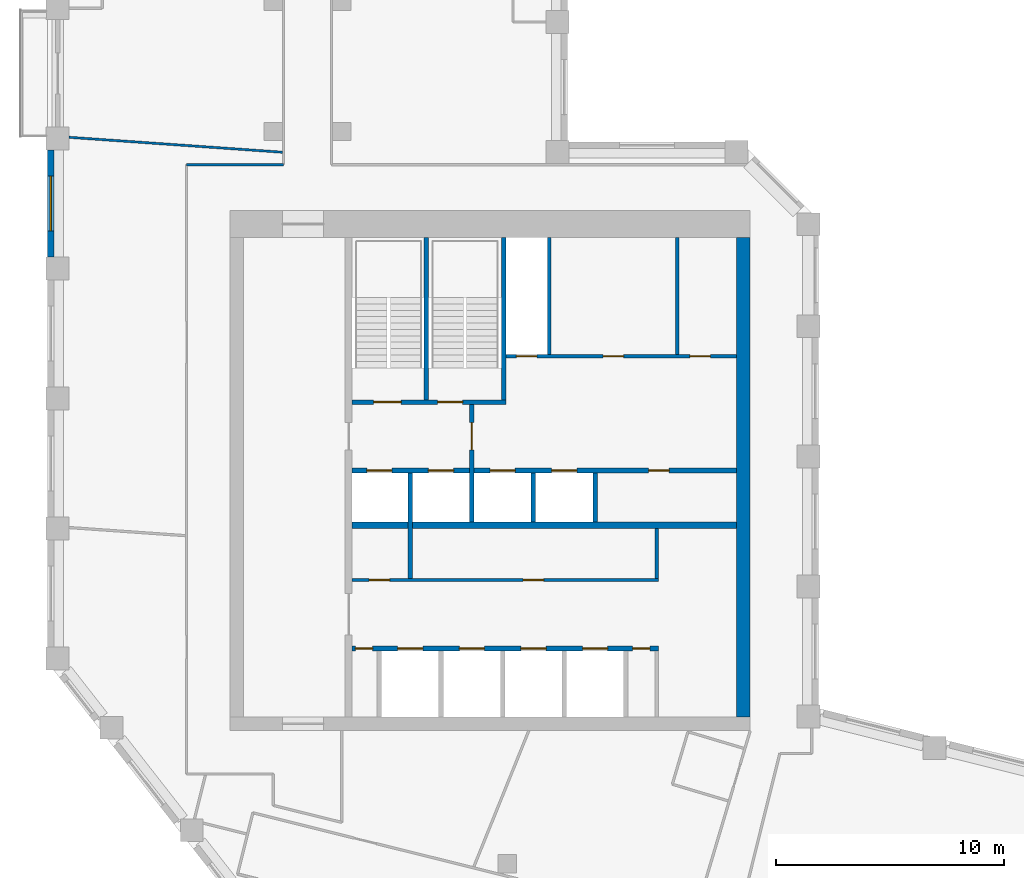
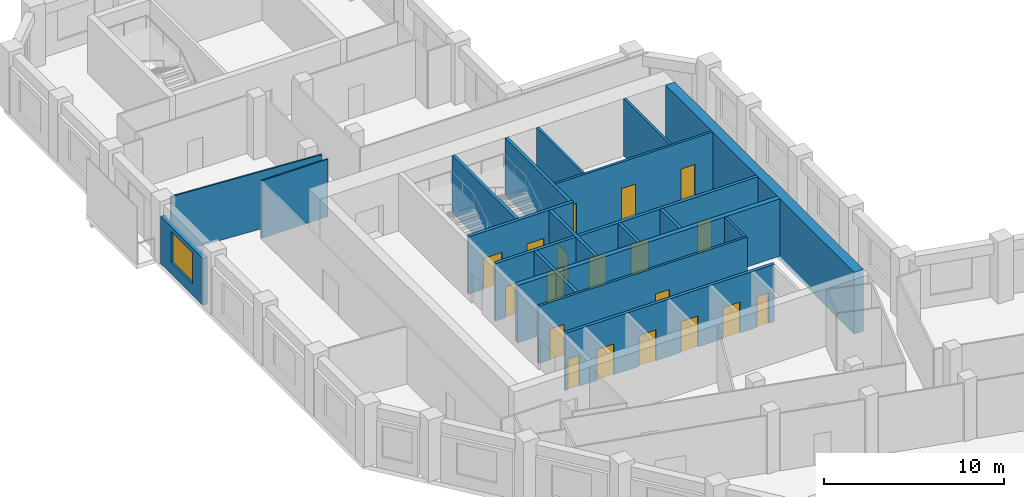
# One storey, part 5 of 9: 19 doors, 19 walls, 1 window, 20 openings.
"""IFC4 building model written with IfcOpenShell, lengths in metres."""

from ifc_helpers import new_model, si_unit, direction, frame, frame_2d, origin, place, context, subcontext, project, spatial, rectangle, extrude, material, layer, layer_set, type_object, element, fill, save


model = new_model("IFC4")

# Units and contexts
model_context = context("Model", 3, precision=1e-05, world=origin(), true_north=direction((0.0, 1.0)))
body_context = subcontext(model_context, "Body", "Model", "MODEL_VIEW")
ifc_project = project(units=[si_unit("LENGTHUNIT", "METRE"), si_unit("AREAUNIT", "SQUARE_METRE"), si_unit("VOLUMEUNIT", "CUBIC_METRE"), si_unit("PLANEANGLEUNIT", "RADIAN"), si_unit("MASSUNIT", "GRAM", prefix="KILO")], contexts=[model_context])

# Site, building, storey
site_placement = place(None, origin())
site = spatial("IfcSite", under=ifc_project, at=site_placement, CompositionType="ELEMENT")
building_placement = place(site_placement, origin())
building = spatial("IfcBuilding", under=site, at=building_placement, Name="Meshkara Civic Tower", CompositionType="ELEMENT")
storey_placement = place(building_placement, frame((0.0, 0.0, 302.39990234375)))
storey = spatial("IfcBuildingStorey", under=building, at=storey_placement, Name="L69", CompositionType="ELEMENT", Elevation=302.39990234375)

# Wall, openings, doors
ifc_material_1 = material(Name="Blockwork", Category="masonry")
ifc_layer_1 = layer(ifc_material_1, 0.14990234375)
ifc_layer_set_1 = layer_set([ifc_layer_1], Name="Core partition 150")
wall_type_1 = type_object("IfcWallType", Name="Core partition 150", PredefinedType="PARTITIONING", material=ifc_layer_set_1)
wall_1_placement = place(storey_placement, frame((13.35009765625, 20.699951171875, 0.0), z_axis=(0.0, 0.0, 1.0), x_axis=(1.0, 0.0, 0.0)))
wall_1 = element("IfcWall", 1, at=wall_1_placement, inside=storey, type_object=wall_type_1, Name="L69-C006", PredefinedType="PARTITIONING", context=body_context, shape_type="SweptSolid", body=[
    extrude(rectangle(XDim=13.4248046875, YDim=0.14990234375, at=frame_2d((6.71240234375, 0.0))), origin(), (0.0, 0.0, 1.0), 3.900146484375),
])
opening_1_placement = place(wall_1_placement, frame((0.75, 0.0, 0.0)))
opening_1 = element("IfcOpeningElement", 2, at=opening_1_placement, cuts=wall_1, Name="Opening L69-K011", PredefinedType="OPENING", context=body_context, shape_type="SweptSolid", body=[
    extrude(rectangle(XDim=0.89990234375, YDim=2.10009765625, at=frame_2d((0.449951171875, 1.050048828125))), frame((0.0, 0.0849609375, 0.0), z_axis=(0.0, -1.0, 0.0), x_axis=(1.0, 0.0, 0.0)), (0.0, 0.0, 1.0), 0.169921875),
])
opening_2_placement = place(wall_1_placement, frame((7.5, 0.0, 0.0)))
opening_2 = element("IfcOpeningElement", 3, at=opening_2_placement, cuts=wall_1, Name="Opening L69-K012", PredefinedType="OPENING", context=body_context, shape_type="SweptSolid", body=[
    extrude(rectangle(XDim=0.89990234375, YDim=2.10009765625, at=frame_2d((0.449951171875, 1.050048828125))), frame((0.0, 0.0849609375, 0.0), z_axis=(0.0, -1.0, 0.0), x_axis=(1.0, 0.0, 0.0)), (0.0, 0.0, 1.0), 0.169921875),
])
ifc_material_2 = material(Name="Timber door leaf in steel frame", Category="steel")
door_type_1 = type_object("IfcDoorType", Name="Core room door 900", OperationType="SINGLE_SWING_LEFT", PredefinedType="DOOR", material=ifc_material_2)
door_1_placement = place(opening_1_placement, origin())
door_1 = element("IfcDoor", 4, at=door_1_placement, inside=storey, type_object=door_type_1, Name="L69-K011", OperationType="SINGLE_SWING_RIGHT", OverallHeight=2.10009765625, OverallWidth=0.89990234375, PredefinedType="DOOR", context=body_context, shape_type="SweptSolid", body=[
    extrude(rectangle(XDim=0.89990234375, YDim=2.10009765625, at=frame_2d((0.449951171875, 1.050048828125))), frame((0.0, 0.02490234375, 0.0), z_axis=(0.0, -1.0, 0.0), x_axis=(1.0, 0.0, 0.0)), (0.0, 0.0, 1.0), 0.050048828125),
])
fill(opening_1, door_1)
door_2_placement = place(opening_2_placement, origin())
door_2 = element("IfcDoor", 5, at=door_2_placement, inside=storey, type_object=door_type_1, Name="L69-K012", OperationType="SINGLE_SWING_LEFT", OverallHeight=2.10009765625, OverallWidth=0.89990234375, PredefinedType="DOOR", context=body_context, shape_type="SweptSolid", body=[
    extrude(rectangle(XDim=0.89990234375, YDim=2.10009765625, at=frame_2d((0.449951171875, 1.050048828125))), frame((0.0, 0.02490234375, 0.0), z_axis=(0.0, -1.0, 0.0), x_axis=(1.0, 0.0, 0.0)), (0.0, 0.0, 1.0), 0.050048828125),
])
fill(opening_2, door_2)

wall_2_placement = place(storey_placement, frame((20.10009765625, 30.5, 0.0), z_axis=(0.0, 0.0, 1.0), x_axis=(1.0, 0.0, 0.0)))
wall_2 = element("IfcWall", 6, at=wall_2_placement, inside=storey, type_object=wall_type_1, Name="L69-C010", PredefinedType="PARTITIONING", context=body_context, shape_type="SweptSolid", body=[
    extrude(rectangle(XDim=10.099853515625, YDim=0.14990234375, at=frame_2d((5.0498046875, 0.0))), origin(), (0.0, 0.0, 1.0), 3.900146484375),
])
opening_3_placement = place(wall_2_placement, frame((0.449951171875, 0.0, 0.0)))
opening_3 = element("IfcOpeningElement", 7, at=opening_3_placement, cuts=wall_2, Name="Opening L69-K014", PredefinedType="OPENING", context=body_context, shape_type="SweptSolid", body=[
    extrude(rectangle(XDim=0.89990234375, YDim=2.10009765625, at=frame_2d((0.449951171875, 1.050048828125))), frame((0.0, 0.0849609375, 0.0), z_axis=(0.0, -1.0, 0.0), x_axis=(1.0, 0.0, 0.0)), (0.0, 0.0, 1.0), 0.169921875),
])
opening_4_placement = place(wall_2_placement, frame((4.25, 0.0, 0.0)))
opening_4 = element("IfcOpeningElement", 8, at=opening_4_placement, cuts=wall_2, Name="Opening L69-K015", PredefinedType="OPENING", context=body_context, shape_type="SweptSolid", body=[
    extrude(rectangle(XDim=0.89990234375, YDim=2.10009765625, at=frame_2d((0.449951171875, 1.050048828125))), frame((0.0, 0.0849609375, 0.0), z_axis=(0.0, -1.0, 0.0), x_axis=(1.0, 0.0, 0.0)), (0.0, 0.0, 1.0), 0.169921875),
])
opening_5_placement = place(wall_2_placement, frame((8.050048828125, 0.0, 0.0)))
opening_5 = element("IfcOpeningElement", 9, at=opening_5_placement, cuts=wall_2, Name="Opening L69-K016", PredefinedType="OPENING", context=body_context, shape_type="SweptSolid", body=[
    extrude(rectangle(XDim=0.89990234375, YDim=2.10009765625, at=frame_2d((0.449951171875, 1.050048828125))), frame((0.0, 0.0849609375, 0.0), z_axis=(0.0, -1.0, 0.0), x_axis=(1.0, 0.0, 0.0)), (0.0, 0.0, 1.0), 0.169921875),
])
door_3_placement = place(opening_4_placement, origin())
door_3 = element("IfcDoor", 10, at=door_3_placement, inside=storey, type_object=door_type_1, Name="L69-K015", OperationType="SINGLE_SWING_RIGHT", OverallHeight=2.10009765625, OverallWidth=0.89990234375, PredefinedType="DOOR", context=body_context, shape_type="SweptSolid", body=[
    extrude(rectangle(XDim=0.89990234375, YDim=2.10009765625, at=frame_2d((0.449951171875, 1.050048828125))), frame((0.0, 0.02490234375, 0.0), z_axis=(0.0, -1.0, 0.0), x_axis=(1.0, 0.0, 0.0)), (0.0, 0.0, 1.0), 0.050048828125),
])
fill(opening_4, door_3)
door_4_placement = place(opening_5_placement, origin())
door_4 = element("IfcDoor", 11, at=door_4_placement, inside=storey, type_object=door_type_1, Name="L69-K016", OperationType="SINGLE_SWING_RIGHT", OverallHeight=2.10009765625, OverallWidth=0.89990234375, PredefinedType="DOOR", context=body_context, shape_type="SweptSolid", body=[
    extrude(rectangle(XDim=0.89990234375, YDim=2.10009765625, at=frame_2d((0.449951171875, 1.050048828125))), frame((0.0, 0.02490234375, 0.0), z_axis=(0.0, -1.0, 0.0), x_axis=(1.0, 0.0, 0.0)), (0.0, 0.0, 1.0), 0.050048828125),
])
fill(opening_5, door_4)
ifc_material_3 = material(Name="Fire-rated door leaf in steel frame", Category="steel")
door_type_2 = type_object("IfcDoorType", Name="Riser door 900", OperationType="SINGLE_SWING_LEFT", PredefinedType="DOOR", material=ifc_material_3)
door_5_placement = place(opening_3_placement, origin())
door_5 = element("IfcDoor", 12, at=door_5_placement, inside=storey, type_object=door_type_2, Name="L69-K014", OperationType="SINGLE_SWING_RIGHT", OverallHeight=2.10009765625, OverallWidth=0.89990234375, PredefinedType="DOOR", context=body_context, shape_type="SweptSolid", body=[
    extrude(rectangle(XDim=0.89990234375, YDim=2.10009765625, at=frame_2d((0.449951171875, 1.050048828125))), frame((0.0, 0.02490234375, 0.0), z_axis=(0.0, -1.0, 0.0), x_axis=(1.0, 0.0, 0.0)), (0.0, 0.0, 1.0), 0.050048828125),
])
fill(opening_3, door_5)

# Walls
wall_3_placement = place(storey_placement, frame((22.0, 30.574951171875, 0.0), z_axis=(0.0, 0.0, 1.0), x_axis=(0.0, 1.0, 0.0)))
element("IfcWall", 13, at=wall_3_placement, inside=storey, type_object=wall_type_1, Name="L69-C020", PredefinedType="PARTITIONING", context=body_context, shape_type="SweptSolid", body=[
    extrude(rectangle(XDim=5.125, YDim=0.14990234375, at=frame_2d((2.5625, 0.0))), origin(), (0.0, 0.0, 1.0), 3.900146484375),
])
wall_4_placement = place(storey_placement, frame((26.699951171875, 20.77490234375, 0.0), z_axis=(0.0, 0.0, 1.0), x_axis=(0.0, 1.0, 0.0)))
element("IfcWall", 14, at=wall_4_placement, inside=storey, type_object=wall_type_1, Name="L69-C025", PredefinedType="PARTITIONING", context=body_context, shape_type="SweptSolid", body=[
    extrude(rectangle(XDim=2.175048828125, YDim=0.14990234375, at=frame_2d((1.08740234375, 0.0))), origin(), (0.0, 0.0, 1.0), 3.900146484375),
])
wall_5_placement = place(storey_placement, frame((27.60009765625, 30.574951171875, 0.0), z_axis=(0.0, 0.0, 1.0), x_axis=(0.0, 1.0, 0.0)))
element("IfcWall", 15, at=wall_5_placement, inside=storey, type_object=wall_type_1, Name="L69-C026", PredefinedType="PARTITIONING", context=body_context, shape_type="SweptSolid", body=[
    extrude(rectangle(XDim=5.125, YDim=0.14990234375, at=frame_2d((2.5625, 0.0))), origin(), (0.0, 0.0, 1.0), 3.900146484375),
])
ifc_material_4 = material(Name="Concrete C60", Category="concrete")
ifc_layer_2 = layer(ifc_material_4, 0.60009765625)
ifc_layer_set_2 = layer_set([ifc_layer_2], Name="Core ring wall 600 C60")
wall_type_2 = type_object("IfcWallType", Name="Core ring wall 600 C60", PredefinedType="SHEAR", material=ifc_layer_set_2)
wall_6_placement = place(storey_placement, frame((30.5, 14.699951171875, -0.2998046875), z_axis=(0.0, 0.0, 1.0), x_axis=(0.0, 1.0, 0.0)))
element("IfcWall", 16, at=wall_6_placement, inside=storey, type_object=wall_type_2, Name="L69-C004", PredefinedType="SHEAR", context=body_context, shape_type="SweptSolid", body=[
    extrude(rectangle(XDim=21.0, YDim=0.60009765625, at=frame_2d((10.5, 0.0))), origin(), (0.0, 0.0, 1.0), 4.199951171875),
])
ifc_material_5 = material(Name="Concrete C60", Category="concrete")
ifc_layer_3 = layer(ifc_material_5, 0.300048828125)
ifc_layer_set_3 = layer_set([ifc_layer_3], Name="Core shear wall 300 C60")
wall_type_3 = type_object("IfcWallType", Name="Core shear wall 300 C60", PredefinedType="SHEAR", material=ifc_layer_set_3)
wall_7_placement = place(storey_placement, frame((13.35009765625, 23.10009765625, 0.0), z_axis=(0.0, 0.0, 1.0), x_axis=(1.0, 0.0, 0.0)))
element("IfcWall", 17, at=wall_7_placement, inside=storey, type_object=wall_type_3, Name="L69-C007", PredefinedType="SHEAR", context=body_context, shape_type="SweptSolid", body=[
    extrude(rectangle(XDim=16.849853515625, YDim=0.300048828125, at=frame_2d((8.4248046875, 0.0))), origin(), (0.0, 0.0, 1.0), 3.900146484375),
])
ifc_material_6 = material(Name="Corridor wall 100")
ifc_layer_4 = layer(ifc_material_6, 0.10009765625)
ifc_layer_set_4 = layer_set([ifc_layer_4], Name="Corridor wall 100")
wall_type_4 = type_object("IfcWallType", Name="Corridor wall 100", PredefinedType="PARTITIONING", material=ifc_layer_set_4)
wall_8_placement = place(storey_placement, frame((10.35009765625, 38.89990234375, 0.0), z_axis=(0.0, 0.0, 1.0), x_axis=(-1.0, 0.0, 0.0)))
element("IfcWall", 18, at=wall_8_placement, inside=storey, type_object=wall_type_4, Name="L69-W011", PredefinedType="PARTITIONING", context=body_context, shape_type="SweptSolid", body=[
    extrude(rectangle(XDim=4.25, YDim=0.10009765625, at=frame_2d((2.125, 0.0))), origin(), (0.0, 0.0, 1.0), 3.900146484375),
])

# Wall, opening, window
ifc_material_7 = material(Name="Insulated infill panel with bronze anodised aluminium cladding", Category="aluminium")
ifc_layer_5 = layer(ifc_material_7, 0.300048828125)
ifc_layer_set_5 = layer_set([ifc_layer_5], Name="EXTERNAL INFILL WALL 300")
wall_type_5 = type_object("IfcWallType", Name="EXTERNAL INFILL WALL 300", PredefinedType="SOLIDWALL", material=ifc_layer_set_5)
wall_9_placement = place(storey_placement, frame((0.14990234375, 39.554931640625, 0.0), z_axis=(0.0, 0.0, 1.0), x_axis=(0.0, -1.0, 0.0)))
wall_9 = element("IfcWall", 19, at=wall_9_placement, inside=storey, type_object=wall_type_5, Name="External wall", PredefinedType="SOLIDWALL", context=body_context, shape_type="SweptSolid", body=[
    extrude(rectangle(XDim=4.699951171875, YDim=0.300048828125, at=frame_2d((2.35009765625, 0.0))), origin(), (0.0, 0.0, 1.0), 3.2001953125),
])
opening_6_placement = place(wall_9_placement, frame((1.14990234375, 0.0, 0.800048828125)))
opening_6 = element("IfcOpeningElement", 20, at=opening_6_placement, cuts=wall_9, Name="Opening W7", PredefinedType="OPENING", context=body_context, shape_type="SweptSolid", body=[
    extrude(rectangle(XDim=2.39990234375, YDim=2.10009765625, at=frame_2d((1.199951171875, 1.050048828125))), frame((0.0, 0.159912109375, 0.0), z_axis=(0.0, -1.0, 0.0), x_axis=(1.0, 0.0, 0.0)), (0.0, 0.0, 1.0), 0.320068359375),
])
ifc_material_8 = material(Name="Tinted double glazing", Category="glass")
window_type = type_object("IfcWindowType", Name="WINDOW 2400x2100", PartitioningType="DOUBLE_PANEL_VERTICAL", PredefinedType="WINDOW", material=ifc_material_8)
window_placement = place(opening_6_placement, origin())
window = element("IfcWindow", 21, at=window_placement, inside=storey, type_object=window_type, Name="Window", OverallHeight=2.10009765625, OverallWidth=2.39990234375, PartitioningType="DOUBLE_PANEL_VERTICAL", PredefinedType="WINDOW", context=body_context, shape_type="SweptSolid", body=[
    extrude(rectangle(XDim=2.39990234375, YDim=2.10009765625, at=frame_2d((1.199951171875, 1.050048828125))), frame((0.0, 0.030029296875, 0.0), z_axis=(0.0, -1.0, 0.0), x_axis=(1.0, 0.0, 0.0)), (0.0, 0.0, 1.0), 0.06005859375),
])
fill(opening_6, window)

# Wall
ifc_material_9 = material(Name="Partition 100")
ifc_layer_6 = layer(ifc_material_9, 0.10009765625)
ifc_layer_set_6 = layer_set([ifc_layer_6], Name="Partition 100")
wall_type_6 = type_object("IfcWallType", Name="Partition 100", PredefinedType="PARTITIONING", material=ifc_layer_set_6)
wall_10_placement = place(storey_placement, frame((10.297119140625, 39.447021484375, 0.0), z_axis=(0.0, 0.0, 1.0), x_axis=(-0.997560818082, 0.069802680657, 0.0)))
element("IfcWall", 22, at=wall_10_placement, inside=storey, type_object=wall_type_6, Name="L69-W045", PredefinedType="PARTITIONING", context=body_context, shape_type="SweptSolid", body=[
    extrude(rectangle(XDim=9.3701171875, YDim=0.10009765625, at=frame_2d((4.68505859375, 0.0))), origin(), (0.0, 0.0, 1.0), 3.900146484375),
])

# Wall, openings, doors
ifc_material_10 = material(Name="Concrete C40/50", Category="concrete")
ifc_layer_7 = layer(ifc_material_10, 0.199951171875)
ifc_layer_set_7 = layer_set([ifc_layer_7], Name="Shaft wall 200 C40/50")
wall_type_7 = type_object("IfcWallType", Name="Shaft wall 200 C40/50", PredefinedType="SOLIDWALL", material=ifc_layer_set_7)
wall_11_placement = place(storey_placement, frame((13.35009765625, 17.699951171875, 0.0), z_axis=(0.0, 0.0, 1.0), x_axis=(1.0, 0.0, 0.0)))
wall_11 = element("IfcWall", 23, at=wall_11_placement, inside=storey, type_object=wall_type_7, Name="L69-C005", PredefinedType="SOLIDWALL", context=body_context, shape_type="SweptSolid", body=[
    extrude(rectangle(XDim=13.4248046875, YDim=0.199951171875, at=frame_2d((6.71240234375, 0.0))), origin(), (0.0, 0.0, 1.0), 3.900146484375),
])
opening_7_placement = place(wall_11_placement, frame((2.0, 0.0, 0.0)))
opening_7 = element("IfcOpeningElement", 24, at=opening_7_placement, cuts=wall_11, Name="Opening L69-K001", PredefinedType="OPENING", context=body_context, shape_type="SweptSolid", body=[
    extrude(rectangle(XDim=1.10009765625, YDim=2.10009765625, at=frame_2d((0.550048828125, 1.050048828125))), frame((0.0, 0.10986328125, 0.0), z_axis=(0.0, -1.0, 0.0), x_axis=(1.0, 0.0, 0.0)), (0.0, 0.0, 1.0), 0.219970703125),
])
opening_8_placement = place(wall_11_placement, frame((4.699951171875, 0.0, 0.0)))
opening_8 = element("IfcOpeningElement", 25, at=opening_8_placement, cuts=wall_11, Name="Opening L69-K002", PredefinedType="OPENING", context=body_context, shape_type="SweptSolid", body=[
    extrude(rectangle(XDim=1.10009765625, YDim=2.10009765625, at=frame_2d((0.550048828125, 1.050048828125))), frame((0.0, 0.10986328125, 0.0), z_axis=(0.0, -1.0, 0.0), x_axis=(1.0, 0.0, 0.0)), (0.0, 0.0, 1.0), 0.219970703125),
])
opening_9_placement = place(wall_11_placement, frame((7.39990234375, 0.0, 0.0)))
opening_9 = element("IfcOpeningElement", 26, at=opening_9_placement, cuts=wall_11, Name="Opening L69-K003", PredefinedType="OPENING", context=body_context, shape_type="SweptSolid", body=[
    extrude(rectangle(XDim=1.10009765625, YDim=2.10009765625, at=frame_2d((0.550048828125, 1.050048828125))), frame((0.0, 0.10986328125, 0.0), z_axis=(0.0, -1.0, 0.0), x_axis=(1.0, 0.0, 0.0)), (0.0, 0.0, 1.0), 0.219970703125),
])
opening_10_placement = place(wall_11_placement, frame((10.10009765625, 0.0, 0.0)))
opening_10 = element("IfcOpeningElement", 27, at=opening_10_placement, cuts=wall_11, Name="Opening L69-K004", PredefinedType="OPENING", context=body_context, shape_type="SweptSolid", body=[
    extrude(rectangle(XDim=1.10009765625, YDim=2.10009765625, at=frame_2d((0.550048828125, 1.050048828125))), frame((0.0, 0.10986328125, 0.0), z_axis=(0.0, -1.0, 0.0), x_axis=(1.0, 0.0, 0.0)), (0.0, 0.0, 1.0), 0.219970703125),
])
opening_11_placement = place(wall_11_placement, frame((0.14990234375, 0.0, 0.0)))
opening_11 = element("IfcOpeningElement", 28, at=opening_11_placement, cuts=wall_11, Name="Opening L69-K009", PredefinedType="OPENING", context=body_context, shape_type="SweptSolid", body=[
    extrude(rectangle(XDim=0.75, YDim=2.10009765625, at=frame_2d((0.375, 1.050048828125))), frame((0.0, 0.10986328125, 0.0), z_axis=(0.0, -1.0, 0.0), x_axis=(1.0, 0.0, 0.0)), (0.0, 0.0, 1.0), 0.219970703125),
])
opening_12_placement = place(wall_11_placement, frame((12.300048828125, 0.0, 0.0)))
opening_12 = element("IfcOpeningElement", 29, at=opening_12_placement, cuts=wall_11, Name="Opening L69-K010", PredefinedType="OPENING", context=body_context, shape_type="SweptSolid", body=[
    extrude(rectangle(XDim=0.75, YDim=2.10009765625, at=frame_2d((0.375, 1.050048828125))), frame((0.0, 0.10986328125, 0.0), z_axis=(0.0, -1.0, 0.0), x_axis=(1.0, 0.0, 0.0)), (0.0, 0.0, 1.0), 0.219970703125),
])
ifc_material_11 = material(Name="Timber door leaf in steel frame", Category="steel")
door_type_3 = type_object("IfcDoorType", Name="Core room door 750", OperationType="SINGLE_SWING_LEFT", PredefinedType="DOOR", material=ifc_material_11)
door_6_placement = place(opening_11_placement, origin())
door_6 = element("IfcDoor", 30, at=door_6_placement, inside=storey, type_object=door_type_3, Name="L69-K009", OperationType="SINGLE_SWING_RIGHT", OverallHeight=2.10009765625, OverallWidth=0.75, PredefinedType="DOOR", context=body_context, shape_type="SweptSolid", body=[
    extrude(rectangle(XDim=0.75, YDim=2.10009765625, at=frame_2d((0.375, 1.050048828125))), frame((0.0, 0.02490234375, 0.0), z_axis=(0.0, -1.0, 0.0), x_axis=(1.0, 0.0, 0.0)), (0.0, 0.0, 1.0), 0.050048828125),
])
fill(opening_11, door_6)
door_7_placement = place(opening_12_placement, origin())
door_7 = element("IfcDoor", 31, at=door_7_placement, inside=storey, type_object=door_type_3, Name="L69-K010", OperationType="SINGLE_SWING_RIGHT", OverallHeight=2.10009765625, OverallWidth=0.75, PredefinedType="DOOR", context=body_context, shape_type="SweptSolid", body=[
    extrude(rectangle(XDim=0.75, YDim=2.10009765625, at=frame_2d((0.375, 1.050048828125))), frame((0.0, 0.02490234375, 0.0), z_axis=(0.0, -1.0, 0.0), x_axis=(1.0, 0.0, 0.0)), (0.0, 0.0, 1.0), 0.050048828125),
])
fill(opening_12, door_7)
ifc_material_12 = material(Name="Stainless steel landing door", Category="steel")
door_type_4 = type_object("IfcDoorType", Name="Lift landing door 1100", OperationType="SLIDING_TO_LEFT", PredefinedType="DOOR", material=ifc_material_12)
door_8_placement = place(opening_7_placement, origin())
door_8 = element("IfcDoor", 32, at=door_8_placement, inside=storey, type_object=door_type_4, Name="L69-K001", OperationType="SLIDING_TO_LEFT", OverallHeight=2.10009765625, OverallWidth=1.10009765625, PredefinedType="DOOR", context=body_context, shape_type="SweptSolid", body=[
    extrude(rectangle(XDim=1.10009765625, YDim=2.10009765625, at=frame_2d((0.550048828125, 1.050048828125))), frame((0.0, 0.02490234375, 0.0), z_axis=(0.0, -1.0, 0.0), x_axis=(1.0, 0.0, 0.0)), (0.0, 0.0, 1.0), 0.050048828125),
])
fill(opening_7, door_8)
door_9_placement = place(opening_8_placement, origin())
door_9 = element("IfcDoor", 33, at=door_9_placement, inside=storey, type_object=door_type_4, Name="L69-K002", OperationType="SLIDING_TO_LEFT", OverallHeight=2.10009765625, OverallWidth=1.10009765625, PredefinedType="DOOR", context=body_context, shape_type="SweptSolid", body=[
    extrude(rectangle(XDim=1.10009765625, YDim=2.10009765625, at=frame_2d((0.550048828125, 1.050048828125))), frame((0.0, 0.02490234375, 0.0), z_axis=(0.0, -1.0, 0.0), x_axis=(1.0, 0.0, 0.0)), (0.0, 0.0, 1.0), 0.050048828125),
])
fill(opening_8, door_9)
door_10_placement = place(opening_9_placement, origin())
door_10 = element("IfcDoor", 34, at=door_10_placement, inside=storey, type_object=door_type_4, Name="L69-K003", OperationType="SLIDING_TO_LEFT", OverallHeight=2.10009765625, OverallWidth=1.10009765625, PredefinedType="DOOR", context=body_context, shape_type="SweptSolid", body=[
    extrude(rectangle(XDim=1.10009765625, YDim=2.10009765625, at=frame_2d((0.550048828125, 1.050048828125))), frame((0.0, 0.02490234375, 0.0), z_axis=(0.0, -1.0, 0.0), x_axis=(1.0, 0.0, 0.0)), (0.0, 0.0, 1.0), 0.050048828125),
])
fill(opening_9, door_10)
door_11_placement = place(opening_10_placement, origin())
door_11 = element("IfcDoor", 35, at=door_11_placement, inside=storey, type_object=door_type_4, Name="L69-K004", OperationType="SLIDING_TO_LEFT", OverallHeight=2.10009765625, OverallWidth=1.10009765625, PredefinedType="DOOR", context=body_context, shape_type="SweptSolid", body=[
    extrude(rectangle(XDim=1.10009765625, YDim=2.10009765625, at=frame_2d((0.550048828125, 1.050048828125))), frame((0.0, 0.02490234375, 0.0), z_axis=(0.0, -1.0, 0.0), x_axis=(1.0, 0.0, 0.0)), (0.0, 0.0, 1.0), 0.050048828125),
])
fill(opening_10, door_11)

wall_12_placement = place(storey_placement, frame((13.35009765625, 25.5, 0.0), z_axis=(0.0, 0.0, 1.0), x_axis=(1.0, 0.0, 0.0)))
wall_12 = element("IfcWall", 36, at=wall_12_placement, inside=storey, type_object=wall_type_7, Name="L69-C008", PredefinedType="SOLIDWALL", context=body_context, shape_type="SweptSolid", body=[
    extrude(rectangle(XDim=16.849853515625, YDim=0.199951171875, at=frame_2d((8.4248046875, 0.0))), origin(), (0.0, 0.0, 1.0), 3.900146484375),
])
opening_13_placement = place(wall_12_placement, frame((0.64990234375, 0.0, 0.0)))
opening_13 = element("IfcOpeningElement", 37, at=opening_13_placement, cuts=wall_12, Name="Opening L69-K005", PredefinedType="OPENING", context=body_context, shape_type="SweptSolid", body=[
    extrude(rectangle(XDim=1.10009765625, YDim=2.10009765625, at=frame_2d((0.550048828125, 1.050048828125))), frame((0.0, 0.10986328125, 0.0), z_axis=(0.0, -1.0, 0.0), x_axis=(1.0, 0.0, 0.0)), (0.0, 0.0, 1.0), 0.219970703125),
])
opening_14_placement = place(wall_12_placement, frame((3.35009765625, 0.0, 0.0)))
opening_14 = element("IfcOpeningElement", 38, at=opening_14_placement, cuts=wall_12, Name="Opening L69-K006", PredefinedType="OPENING", context=body_context, shape_type="SweptSolid", body=[
    extrude(rectangle(XDim=1.10009765625, YDim=2.10009765625, at=frame_2d((0.550048828125, 1.050048828125))), frame((0.0, 0.10986328125, 0.0), z_axis=(0.0, -1.0, 0.0), x_axis=(1.0, 0.0, 0.0)), (0.0, 0.0, 1.0), 0.219970703125),
])
opening_15_placement = place(wall_12_placement, frame((6.050048828125, 0.0, 0.0)))
opening_15 = element("IfcOpeningElement", 39, at=opening_15_placement, cuts=wall_12, Name="Opening L69-K007", PredefinedType="OPENING", context=body_context, shape_type="SweptSolid", body=[
    extrude(rectangle(XDim=1.10009765625, YDim=2.10009765625, at=frame_2d((0.550048828125, 1.050048828125))), frame((0.0, 0.10986328125, 0.0), z_axis=(0.0, -1.0, 0.0), x_axis=(1.0, 0.0, 0.0)), (0.0, 0.0, 1.0), 0.219970703125),
])
opening_16_placement = place(wall_12_placement, frame((8.75, 0.0, 0.0)))
opening_16 = element("IfcOpeningElement", 40, at=opening_16_placement, cuts=wall_12, Name="Opening L69-K008", PredefinedType="OPENING", context=body_context, shape_type="SweptSolid", body=[
    extrude(rectangle(XDim=1.10009765625, YDim=2.10009765625, at=frame_2d((0.550048828125, 1.050048828125))), frame((0.0, 0.10986328125, 0.0), z_axis=(0.0, -1.0, 0.0), x_axis=(1.0, 0.0, 0.0)), (0.0, 0.0, 1.0), 0.219970703125),
])
opening_17_placement = place(wall_12_placement, frame((13.0, 0.0, 0.0)))
opening_17 = element("IfcOpeningElement", 41, at=opening_17_placement, cuts=wall_12, Name="Opening L69-K013", PredefinedType="OPENING", context=body_context, shape_type="SweptSolid", body=[
    extrude(rectangle(XDim=0.89990234375, YDim=2.10009765625, at=frame_2d((0.449951171875, 1.050048828125))), frame((0.0, 0.10986328125, 0.0), z_axis=(0.0, -1.0, 0.0), x_axis=(1.0, 0.0, 0.0)), (0.0, 0.0, 1.0), 0.219970703125),
])
door_12_placement = place(opening_17_placement, origin())
door_12 = element("IfcDoor", 42, at=door_12_placement, inside=storey, type_object=door_type_1, Name="L69-K013", OperationType="SINGLE_SWING_LEFT", OverallHeight=2.10009765625, OverallWidth=0.89990234375, PredefinedType="DOOR", context=body_context, shape_type="SweptSolid", body=[
    extrude(rectangle(XDim=0.89990234375, YDim=2.10009765625, at=frame_2d((0.449951171875, 1.050048828125))), frame((0.0, 0.02490234375, 0.0), z_axis=(0.0, -1.0, 0.0), x_axis=(1.0, 0.0, 0.0)), (0.0, 0.0, 1.0), 0.050048828125),
])
fill(opening_17, door_12)
door_13_placement = place(opening_13_placement, origin())
door_13 = element("IfcDoor", 43, at=door_13_placement, inside=storey, type_object=door_type_4, Name="L69-K005", OperationType="SLIDING_TO_LEFT", OverallHeight=2.10009765625, OverallWidth=1.10009765625, PredefinedType="DOOR", context=body_context, shape_type="SweptSolid", body=[
    extrude(rectangle(XDim=1.10009765625, YDim=2.10009765625, at=frame_2d((0.550048828125, 1.050048828125))), frame((0.0, 0.02490234375, 0.0), z_axis=(0.0, -1.0, 0.0), x_axis=(1.0, 0.0, 0.0)), (0.0, 0.0, 1.0), 0.050048828125),
])
fill(opening_13, door_13)
door_14_placement = place(opening_14_placement, origin())
door_14 = element("IfcDoor", 44, at=door_14_placement, inside=storey, type_object=door_type_4, Name="L69-K006", OperationType="SLIDING_TO_LEFT", OverallHeight=2.10009765625, OverallWidth=1.10009765625, PredefinedType="DOOR", context=body_context, shape_type="SweptSolid", body=[
    extrude(rectangle(XDim=1.10009765625, YDim=2.10009765625, at=frame_2d((0.550048828125, 1.050048828125))), frame((0.0, 0.02490234375, 0.0), z_axis=(0.0, -1.0, 0.0), x_axis=(1.0, 0.0, 0.0)), (0.0, 0.0, 1.0), 0.050048828125),
])
fill(opening_14, door_14)
door_15_placement = place(opening_15_placement, origin())
door_15 = element("IfcDoor", 45, at=door_15_placement, inside=storey, type_object=door_type_4, Name="L69-K007", OperationType="SLIDING_TO_LEFT", OverallHeight=2.10009765625, OverallWidth=1.10009765625, PredefinedType="DOOR", context=body_context, shape_type="SweptSolid", body=[
    extrude(rectangle(XDim=1.10009765625, YDim=2.10009765625, at=frame_2d((0.550048828125, 1.050048828125))), frame((0.0, 0.02490234375, 0.0), z_axis=(0.0, -1.0, 0.0), x_axis=(1.0, 0.0, 0.0)), (0.0, 0.0, 1.0), 0.050048828125),
])
fill(opening_15, door_15)
door_16_placement = place(opening_16_placement, origin())
door_16 = element("IfcDoor", 46, at=door_16_placement, inside=storey, type_object=door_type_4, Name="L69-K008", OperationType="SLIDING_TO_LEFT", OverallHeight=2.10009765625, OverallWidth=1.10009765625, PredefinedType="DOOR", context=body_context, shape_type="SweptSolid", body=[
    extrude(rectangle(XDim=1.10009765625, YDim=2.10009765625, at=frame_2d((0.550048828125, 1.050048828125))), frame((0.0, 0.02490234375, 0.0), z_axis=(0.0, -1.0, 0.0), x_axis=(1.0, 0.0, 0.0)), (0.0, 0.0, 1.0), 0.050048828125),
])
fill(opening_16, door_16)

# Wall
wall_13_placement = place(storey_placement, frame((15.89990234375, 20.77490234375, 0.0), z_axis=(0.0, 0.0, 1.0), x_axis=(0.0, 1.0, 0.0)))
element("IfcWall", 47, at=wall_13_placement, inside=storey, type_object=wall_type_7, Name="L69-C013", PredefinedType="SOLIDWALL", context=body_context, shape_type="SweptSolid", body=[
    extrude(rectangle(XDim=4.625, YDim=0.199951171875, at=frame_2d((2.3125, 0.0))), origin(), (0.0, 0.0, 1.0), 3.900146484375),
])

# Wall, opening, door
wall_14_placement = place(storey_placement, frame((18.60009765625, 23.25, 0.0), z_axis=(0.0, 0.0, 1.0), x_axis=(0.0, 1.0, 0.0)))
wall_14 = element("IfcWall", 48, at=wall_14_placement, inside=storey, type_object=wall_type_7, Name="L69-C016", PredefinedType="SOLIDWALL", context=body_context, shape_type="SweptSolid", body=[
    extrude(rectangle(XDim=5.14990234375, YDim=0.199951171875, at=frame_2d((2.574951171875, 0.0))), origin(), (0.0, 0.0, 1.0), 3.900146484375),
])
opening_18_placement = place(wall_14_placement, frame((3.14990234375, 0.0, 0.0)))
opening_18 = element("IfcOpeningElement", 49, at=opening_18_placement, cuts=wall_14, Name="Opening L69-K021", PredefinedType="OPENING", context=body_context, shape_type="SweptSolid", body=[
    extrude(rectangle(XDim=1.199951171875, YDim=2.10009765625, at=frame_2d((0.60009765625, 1.050048828125))), frame((0.0, 0.10986328125, 0.0), z_axis=(0.0, -1.0, 0.0), x_axis=(1.0, 0.0, 0.0)), (0.0, 0.0, 1.0), 0.219970703125),
])
ifc_material_13 = material(Name="Fire-rated door leaf in steel frame", Category="steel")
door_type_5 = type_object("IfcDoorType", Name="Fire-fighting lobby door 1200 EI 120", OperationType="SINGLE_SWING_LEFT", PredefinedType="DOOR", material=ifc_material_13)
door_17_placement = place(opening_18_placement, origin())
door_17 = element("IfcDoor", 50, at=door_17_placement, inside=storey, type_object=door_type_5, Name="L69-K021", OperationType="SINGLE_SWING_RIGHT", OverallHeight=2.10009765625, OverallWidth=1.199951171875, PredefinedType="DOOR", context=body_context, shape_type="SweptSolid", body=[
    extrude(rectangle(XDim=1.199951171875, YDim=2.10009765625, at=frame_2d((0.60009765625, 1.050048828125))), frame((0.0, 0.02490234375, 0.0), z_axis=(0.0, -1.0, 0.0), x_axis=(1.0, 0.0, 0.0)), (0.0, 0.0, 1.0), 0.050048828125),
])
fill(opening_18, door_17)

# Walls
for number, where, z_axis, x_axis, name in (
    (51, (21.300048828125, 23.25, 0.0), (0.0, 0.0, 1.0), (0.0, 1.0, 0.0), "L69-C019"),
    (52, (24.0, 23.25, 0.0), (0.0, 0.0, 1.0), (0.0, 1.0, 0.0), "L69-C022"),
):
    element("IfcWall", number, at=place(storey_placement, frame(where, z_axis=z_axis, x_axis=x_axis)), inside=storey, type_object=wall_type_7, Name=name, PredefinedType="SOLIDWALL", context=body_context, shape_type="SweptSolid", body=[
        extrude(rectangle(XDim=2.14990234375, YDim=0.199951171875, at=frame_2d((1.074951171875, 0.0))), origin(), (0.0, 0.0, 1.0), 3.900146484375),
    ])

# Wall, openings, doors
ifc_material_14 = material(Name="Concrete C40/50", Category="concrete")
ifc_layer_8 = layer(ifc_material_14, 0.199951171875)
ifc_layer_set_8 = layer_set([ifc_layer_8], Name="Stair enclosure wall 200 C40/50")
wall_type_8 = type_object("IfcWallType", Name="Stair enclosure wall 200 C40/50", PredefinedType="SOLIDWALL", material=ifc_layer_set_8)
wall_15_placement = place(storey_placement, frame((13.35009765625, 28.5, 0.0), z_axis=(0.0, 0.0, 1.0), x_axis=(1.0, 0.0, 0.0)))
wall_15 = element("IfcWall", 53, at=wall_15_placement, inside=storey, type_object=wall_type_8, Name="L69-C009", PredefinedType="SOLIDWALL", context=body_context, shape_type="SweptSolid", body=[
    extrude(rectangle(XDim=6.75, YDim=0.199951171875, at=frame_2d((3.375, 0.0))), origin(), (0.0, 0.0, 1.0), 3.900146484375),
])
opening_19_placement = place(wall_15_placement, frame((0.949951171875, 0.0, 0.0)))
opening_19 = element("IfcOpeningElement", 54, at=opening_19_placement, cuts=wall_15, Name="Opening L69-K017", PredefinedType="OPENING", context=body_context, shape_type="SweptSolid", body=[
    extrude(rectangle(XDim=1.199951171875, YDim=2.10009765625, at=frame_2d((0.60009765625, 1.050048828125))), frame((0.0, 0.10986328125, 0.0), z_axis=(0.0, -1.0, 0.0), x_axis=(1.0, 0.0, 0.0)), (0.0, 0.0, 1.0), 0.219970703125),
])
opening_20_placement = place(wall_15_placement, frame((3.75, 0.0, 0.0)))
opening_20 = element("IfcOpeningElement", 55, at=opening_20_placement, cuts=wall_15, Name="Opening L69-K018", PredefinedType="OPENING", context=body_context, shape_type="SweptSolid", body=[
    extrude(rectangle(XDim=1.10009765625, YDim=2.10009765625, at=frame_2d((0.550048828125, 1.050048828125))), frame((0.0, 0.10986328125, 0.0), z_axis=(0.0, -1.0, 0.0), x_axis=(1.0, 0.0, 0.0)), (0.0, 0.0, 1.0), 0.219970703125),
])
ifc_material_15 = material(Name="Fire-rated door leaf in steel frame", Category="steel")
door_type_6 = type_object("IfcDoorType", Name="Stair door 1100 EI 120", OperationType="SINGLE_SWING_LEFT", PredefinedType="DOOR", material=ifc_material_15)
door_18_placement = place(opening_20_placement, origin())
door_18 = element("IfcDoor", 56, at=door_18_placement, inside=storey, type_object=door_type_6, Name="L69-K018", OperationType="SINGLE_SWING_LEFT", OverallHeight=2.10009765625, OverallWidth=1.10009765625, PredefinedType="DOOR", context=body_context, shape_type="SweptSolid", body=[
    extrude(rectangle(XDim=1.10009765625, YDim=2.10009765625, at=frame_2d((0.550048828125, 1.050048828125))), frame((0.0, 0.02490234375, 0.0), z_axis=(0.0, -1.0, 0.0), x_axis=(1.0, 0.0, 0.0)), (0.0, 0.0, 1.0), 0.050048828125),
])
fill(opening_20, door_18)
ifc_material_16 = material(Name="Fire-rated door leaf in steel frame", Category="steel")
door_type_7 = type_object("IfcDoorType", Name="Stair door 1200 EI 120", OperationType="SINGLE_SWING_LEFT", PredefinedType="DOOR", material=ifc_material_16)
door_19_placement = place(opening_19_placement, origin())
door_19 = element("IfcDoor", 57, at=door_19_placement, inside=storey, type_object=door_type_7, Name="L69-K017", OperationType="SINGLE_SWING_RIGHT", OverallHeight=2.10009765625, OverallWidth=1.199951171875, PredefinedType="DOOR", context=body_context, shape_type="SweptSolid", body=[
    extrude(rectangle(XDim=1.199951171875, YDim=2.10009765625, at=frame_2d((0.60009765625, 1.050048828125))), frame((0.0, 0.02490234375, 0.0), z_axis=(0.0, -1.0, 0.0), x_axis=(1.0, 0.0, 0.0)), (0.0, 0.0, 1.0), 0.050048828125),
])
fill(opening_19, door_19)

# Walls
for number, where, z_axis, x_axis, name in (
    (58, (16.60009765625, 28.60009765625, 0.0), (0.0, 0.0, 1.0), (0.0, 1.0, 0.0), "L69-C014"),
    (59, (20.0, 28.60009765625, 0.0), (0.0, 0.0, 1.0), (0.0, 1.0, 0.0), "L69-C018"),
):
    element("IfcWall", number, at=place(storey_placement, frame(where, z_axis=z_axis, x_axis=x_axis)), inside=storey, type_object=wall_type_8, Name=name, PredefinedType="SOLIDWALL", context=body_context, shape_type="SweptSolid", body=[
        extrude(rectangle(XDim=7.099853515625, YDim=0.199951171875, at=frame_2d((3.5498046875, 0.0))), origin(), (0.0, 0.0, 1.0), 3.900146484375),
    ])

save(model, "model.ifc")
